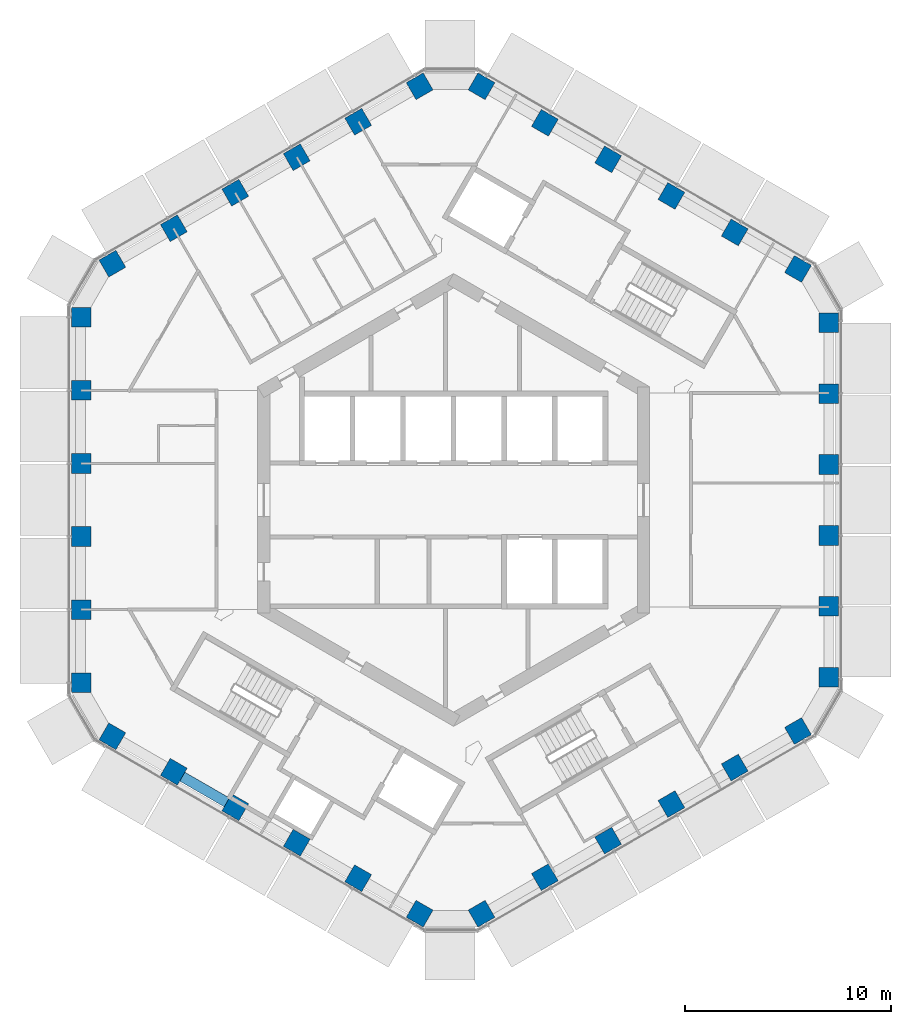
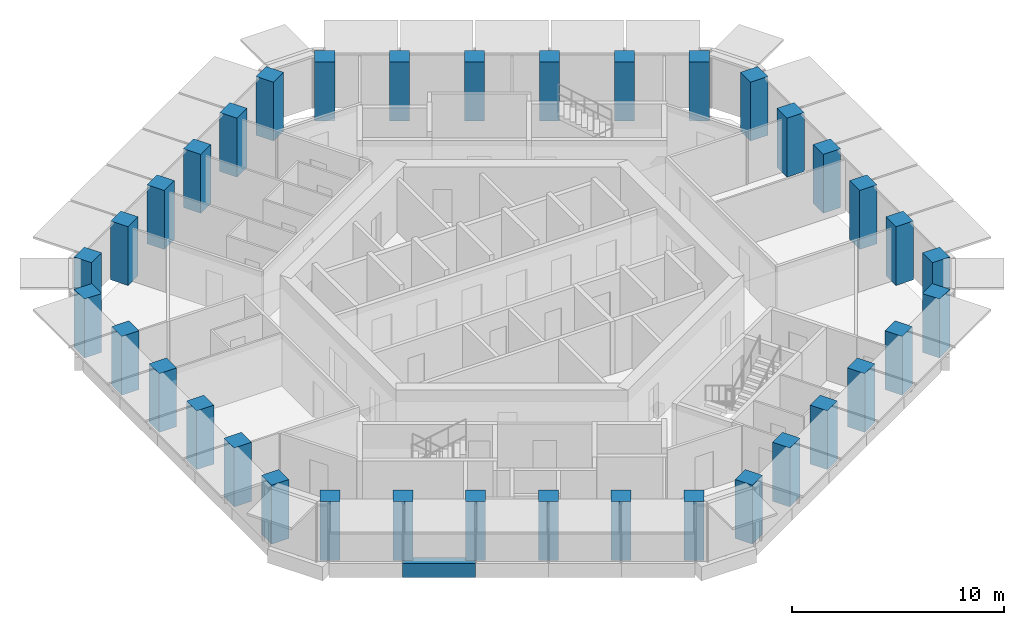
# One storey, part 1 of 18: 36 columns, 1 beam.
"""IFC4 building model written with IfcOpenShell, lengths in metres."""

from ifc_helpers import new_model, si_unit, direction, frame, origin, origin_2d, place, context, subcontext, project, spatial, rectangle, extrude, material, material_profile, profile_set, type_object, element, save


model = new_model("IFC4")

# Units and contexts
model_context = context("Model", 3, precision=1e-05, world=origin(), true_north=direction((0.0, 1.0)))
body_context = subcontext(model_context, "Body", "Model", "MODEL_VIEW")
ifc_project = project(units=[si_unit("LENGTHUNIT", "METRE"), si_unit("AREAUNIT", "SQUARE_METRE"), si_unit("VOLUMEUNIT", "CUBIC_METRE"), si_unit("PLANEANGLEUNIT", "RADIAN"), si_unit("MASSUNIT", "GRAM", prefix="KILO")], contexts=[model_context])

# Site, building, storey
site_placement = place(None, origin())
site = spatial("IfcSite", under=ifc_project, at=site_placement, CompositionType="ELEMENT")
building_placement = place(site_placement, origin())
building = spatial("IfcBuilding", under=site, at=building_placement, Name="Ayvan Gate Tower", CompositionType="ELEMENT")
storey_placement = place(building_placement, frame((0.0, 0.0, 159.5)))
storey = spatial("IfcBuildingStorey", under=building, at=storey_placement, Name="L42", CompositionType="ELEMENT", Elevation=159.5)

# Columns
ifc_material_1 = material(Name="Concrete C55/67", Category="concrete")
ifc_material_profile_1 = material_profile(ifc_material_1, rectangle(XDim=0.949951171875, YDim=0.949951171875, at=origin_2d()), Name="RC 950x950")
ifc_profile_set_1 = profile_set([ifc_material_profile_1], Name="Concrete C55/67")
column_type = type_object("IfcColumnType", Name="Tube column RC 950x950 C55/67", PredefinedType="COLUMN", material=ifc_profile_set_1)
for number, where, z_axis, x_axis, name in (
    (1, (18.1865234375, -8.5966796875, 0.0), (0.0, 0.0, 1.0), (1.0, 0.0, 0.0), "C-T0-0-L42"),
    (2, (18.1865234375, -5.157958984375, 0.0), (0.0, 0.0, 1.0), (1.0, 0.0, 0.0), "C-T0-1-L42"),
    (3, (18.1865234375, -1.71923828125, 0.0), (0.0, 0.0, 1.0), (1.0, 0.0, 0.0), "C-T0-2-L42"),
    (4, (18.1865234375, 1.71923828125, 0.0), (0.0, 0.0, 1.0), (1.0, 0.0, 0.0), "C-T0-3-L42"),
    (5, (18.1865234375, 5.157958984375, 0.0), (0.0, 0.0, 1.0), (1.0, 0.0, 0.0), "C-T0-4-L42"),
    (6, (18.1865234375, 8.5966796875, 0.0), (0.0, 0.0, 1.0), (1.0, 0.0, 0.0), "C-T0-5-L42"),
    (7, (16.6865234375, 11.19482421875, 0.0), (0.0, 0.0, 1.0), (0.5, 0.866025403784, 0.0), "C-T1-0-L42"),
    (8, (13.61962890625, 12.96533203125, 0.0), (0.0, 0.0, 1.0), (0.5, 0.866025403784, 0.0), "C-T1-1-L42"),
    (9, (10.552490234375, 14.736083984375, 0.0), (0.0, 0.0, 1.0), (0.5, 0.866025403784, 0.0), "C-T1-2-L42"),
    (10, (7.485595703125, 16.5068359375, 0.0), (0.0, 0.0, 1.0), (0.5, 0.866025403784, 0.0), "C-T1-3-L42"),
    (11, (4.418701171875, 18.277587890625, 0.0), (0.0, 0.0, 1.0), (0.5, 0.866025403784, 0.0), "C-T1-4-L42"),
    (12, (1.3515625, 20.04833984375, 0.0), (0.0, 0.0, 1.0), (0.5, 0.866025403784, 0.0), "C-T1-5-L42"),
    (13, (-1.6484375, 20.04833984375, 0.0), (0.0, 0.0, 1.0), (-0.5, 0.866025403784, 0.0), "C-T2-0-L42"),
    (14, (-4.626220703125, 18.3291015625, 0.0), (0.0, 0.0, 1.0), (-0.5, 0.866025403784, 0.0), "C-T2-1-L42"),
    (15, (-7.604248046875, 16.609619140625, 0.0), (0.0, 0.0, 1.0), (-0.5, 0.866025403784, 0.0), "C-T2-2-L42"),
    (16, (-10.582275390625, 14.890380859375, 0.0), (0.0, 0.0, 1.0), (-0.5, 0.866025403784, 0.0), "C-T2-3-L42"),
    (17, (-13.560302734375, 13.1708984375, 0.0), (0.0, 0.0, 1.0), (-0.5, 0.866025403784, 0.0), "C-T2-4-L42"),
    (18, (-16.5380859375, 11.45166015625, 0.0), (0.0, 0.0, 1.0), (-0.5, 0.866025403784, 0.0), "C-T2-5-L42"),
    (19, (-18.0380859375, 8.853515625, 0.0), (0.0, 0.0, 1.0), (-1.0, 0.0, 0.0), "C-T3-0-L42"),
    (20, (-18.0380859375, 5.312255859375, 0.0), (0.0, 0.0, 1.0), (-1.0, 0.0, 0.0), "C-T3-1-L42"),
    (21, (-18.0380859375, 1.770751953125, 0.0), (0.0, 0.0, 1.0), (-1.0, 0.0, 0.0), "C-T3-2-L42"),
    (22, (-18.0380859375, -1.770751953125, 0.0), (0.0, 0.0, 1.0), (-1.0, 0.0, 0.0), "C-T3-3-L42"),
    (23, (-18.0380859375, -5.312255859375, 0.0), (0.0, 0.0, 1.0), (-1.0, 0.0, 0.0), "C-T3-4-L42"),
    (24, (-18.0380859375, -8.853515625, 0.0), (0.0, 0.0, 1.0), (-1.0, 0.0, 0.0), "C-T3-5-L42"),
    (25, (-16.5380859375, -11.45166015625, 0.0), (0.0, 0.0, 1.0), (-0.5, -0.866025403784, 0.0), "C-T4-0-L42"),
    (26, (-13.560302734375, -13.1708984375, 0.0), (0.0, 0.0, 1.0), (-0.5, -0.866025403784, 0.0), "C-T4-1-L42"),
    (27, (-10.582275390625, -14.890380859375, 0.0), (0.0, 0.0, 1.0), (-0.5, -0.866025403784, 0.0), "C-T4-2-L42"),
    (28, (-7.604248046875, -16.609619140625, 0.0), (0.0, 0.0, 1.0), (-0.5, -0.866025403784, 0.0), "C-T4-3-L42"),
    (29, (-4.626220703125, -18.3291015625, 0.0), (0.0, 0.0, 1.0), (-0.5, -0.866025403784, 0.0), "C-T4-4-L42"),
    (30, (-1.6484375, -20.04833984375, 0.0), (0.0, 0.0, 1.0), (-0.5, -0.866025403784, 0.0), "C-T4-5-L42"),
    (31, (1.3515625, -20.04833984375, 0.0), (0.0, 0.0, 1.0), (0.5, -0.866025403784, 0.0), "C-T5-0-L42"),
    (32, (4.418701171875, -18.277587890625, 0.0), (0.0, 0.0, 1.0), (0.5, -0.866025403784, 0.0), "C-T5-1-L42"),
    (33, (7.485595703125, -16.5068359375, 0.0), (0.0, 0.0, 1.0), (0.5, -0.866025403784, 0.0), "C-T5-2-L42"),
    (34, (10.552490234375, -14.736083984375, 0.0), (0.0, 0.0, 1.0), (0.5, -0.866025403784, 0.0), "C-T5-3-L42"),
    (35, (13.61962890625, -12.96533203125, 0.0), (0.0, 0.0, 1.0), (0.5, -0.866025403784, 0.0), "C-T5-4-L42"),
    (36, (16.6865234375, -11.19482421875, 0.0), (0.0, 0.0, 1.0), (0.5, -0.866025403784, 0.0), "C-T5-5-L42"),
):
    element("IfcColumn", number, at=place(storey_placement, frame(where, z_axis=z_axis, x_axis=x_axis)), inside=storey, type_object=column_type, Name=name, PredefinedType="COLUMN", context=body_context, shape_type="SweptSolid", body=[
        extrude(rectangle(XDim=0.949951171875, YDim=0.949951171875, at=origin_2d()), origin(), (0.0, 0.0, 1.0), 3.39990234375),
    ])

# Beam
ifc_material_2 = material(Name="Concrete C40/50", Category="concrete")
ifc_material_profile_2 = material_profile(ifc_material_2, rectangle(XDim=0.5, YDim=0.800048828125, at=origin_2d()), Name="RC 500x800")
ifc_profile_set_2 = profile_set([ifc_material_profile_2], Name="Concrete C40/50")
beam_type = type_object("IfcBeamType", Name="Spandrel beam RC 500x800 C40/50", PredefinedType="BEAM", material=ifc_profile_set_2)
beam_placement = place(storey_placement, frame((-13.5859375, -13.15625, -0.75), z_axis=(0.866023358902, -0.500003541824, 0.0), x_axis=(0.500003541824, 0.866023358902, 0.0)))
element("IfcBeam", 37, at=beam_placement, inside=storey, type_object=beam_type, Name="SB-L42-26", PredefinedType="BEAM", context=body_context, shape_type="SweptSolid", body=[
    extrude(rectangle(XDim=0.5, YDim=0.800048828125, at=origin_2d()), origin(), (0.0, 0.0, 1.0), 3.45849609375),
])

save(model, "model.ifc")
